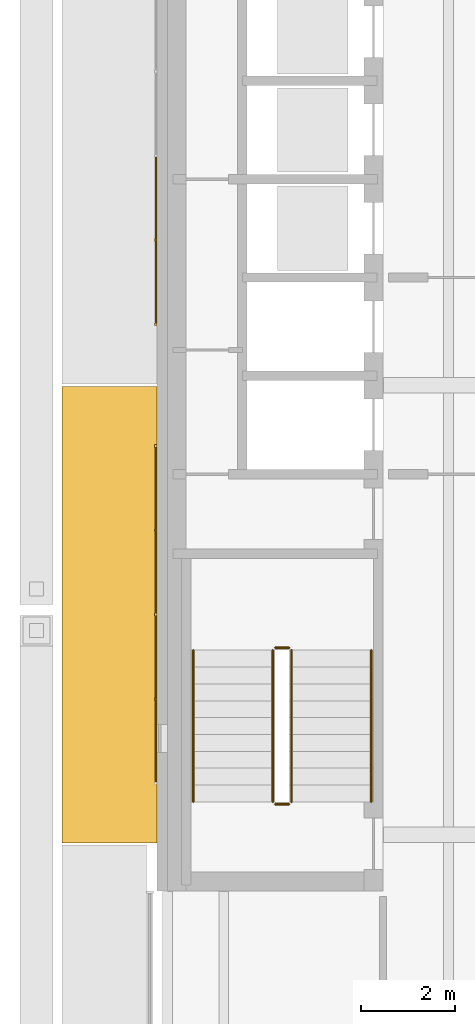
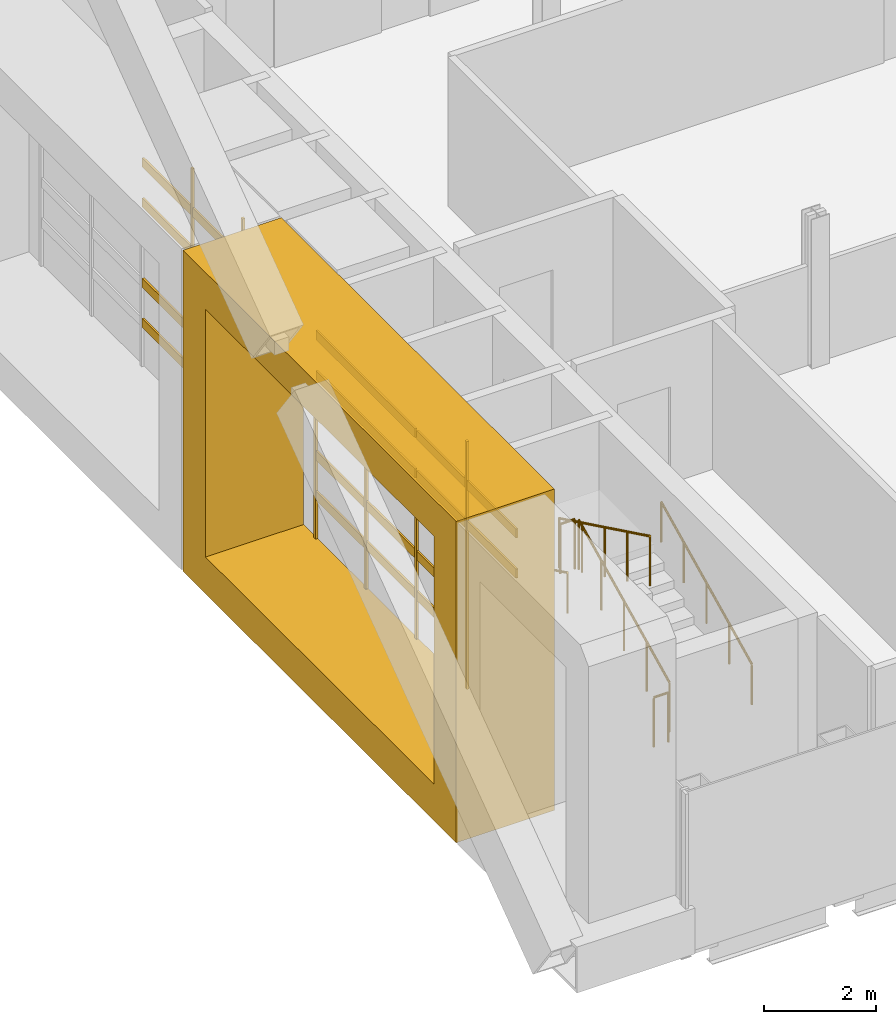
# One storey, part 17 of 23: 19 coverings, 6 railings.
"""IFC4 building model written with IfcOpenShell, lengths in metres."""

from ifc_helpers import new_model, si_unit, direction, frame, origin, origin_2d, place, context, subcontext, project, spatial, polyline, rectangle, circle, outline, extrude, material, type_object, element, save


model = new_model("IFC4")

# Units and contexts
model_context = context("Model", 3, precision=1e-05, world=origin(), true_north=direction((0.0, 1.0)))
body_context = subcontext(model_context, "Body", "Model", "MODEL_VIEW")
ifc_project = project(units=[si_unit("LENGTHUNIT", "METRE"), si_unit("AREAUNIT", "SQUARE_METRE"), si_unit("VOLUMEUNIT", "CUBIC_METRE"), si_unit("PLANEANGLEUNIT", "RADIAN"), si_unit("MASSUNIT", "GRAM", prefix="KILO")], contexts=[model_context])

# Site, building, storey
site_placement = place(None, origin())
site = spatial("IfcSite", under=ifc_project, at=site_placement, CompositionType="ELEMENT")
building_placement = place(site_placement, origin())
building = spatial("IfcBuilding", under=site, at=building_placement, Name="Cobrizo Arcos Hotel Tower", CompositionType="ELEMENT")
storey_placement = place(building_placement, frame((0.0, 0.0, 262.0)))
storey = spatial("IfcBuildingStorey", under=building, at=storey_placement, Name="L69", CompositionType="ELEMENT", Elevation=262.0)

# Coverings
ifc_material_1 = material(Name="Aluminium 6063-T6 anodised bronze", Category="aluminium")
covering_type_1 = type_object("IfcCoveringType", Name="FIN-F 2025", PredefinedType="CLADDING", material=ifc_material_1)
covering_placement = place(storey_placement, frame((-20.625, -0.02490234375, 0.0), z_axis=(-1.0, 0.0, 0.0), x_axis=(0.0, -1.0, 0.0)))
element("IfcCovering", 1, at=covering_placement, inside=storey, type_object=covering_type_1, Name="Fin frame 437", PredefinedType="CLADDING", context=body_context, shape_type="SweptSolid", body=[
    extrude(outline(polyline([(0.0, 7.0), (0.0, 0.0), (9.75, 0.0), (9.75, 7.0), (0.0, 7.0)]), holes=[polyline([(8.949951171875, 0.800048828125), (0.800048828125, 0.800048828125), (0.800048828125, 6.199951171875), (8.949951171875, 6.199951171875), (8.949951171875, 0.800048828125)])]), origin(), (0.0, 0.0, 1.0), 2.02490234375),
])
ifc_material_2 = material(Name="Aluminium 6063-T6 anodised pale", Category="aluminium")
covering_type_2 = type_object("IfcCoveringType", Name="RS-2 rainscreen rib 60x50", PredefinedType="CLADDING", material=ifc_material_2)
for number, where, z_axis, x_axis, name in (
    (2, (-20.64990234375, 3.10009765625, 0.800048828125), (0.0, 0.0, 1.0), (0.0, -1.0, 0.0), "Rainscreen rib 344"),
    (3, (-20.64990234375, 1.300048828125, 0.800048828125), (0.0, 0.0, 1.0), (0.0, -1.0, 0.0), "Rainscreen rib 345"),
    (4, (-20.64990234375, -1.300048828125, 0.800048828125), (0.0, 0.0, 1.0), (0.0, -1.0, 0.0), "Rainscreen rib 346"),
    (5, (-20.64990234375, -3.10009765625, 0.800048828125), (0.0, 0.0, 1.0), (0.0, -1.0, 0.0), "Rainscreen rib 347"),
    (6, (-20.64990234375, -4.89990234375, 0.800048828125), (0.0, 0.0, 1.0), (0.0, -1.0, 0.0), "Rainscreen rib 348"),
    (7, (-20.64990234375, -6.699951171875, 0.800048828125), (0.0, 0.0, 1.0), (0.0, -1.0, 0.0), "Rainscreen rib 349"),
):
    element("IfcCovering", number, at=place(storey_placement, frame(where, z_axis=z_axis, x_axis=x_axis)), inside=storey, type_object=covering_type_2, Name=name, PredefinedType="CLADDING", context=body_context, shape_type="SweptSolid", body=[
        extrude(rectangle(XDim=0.06005859375, YDim=0.050048828125, at=origin_2d()), origin(), (0.0, 0.0, 1.0), 5.39990234375),
    ])
covering_type_3 = type_object("IfcCoveringType", Name="RS-3 rainscreen louvre slat 200x40", PredefinedType="CLADDING", material=ifc_material_2)
for number, where, z_axis, x_axis, name in (
    (8, (-20.64501953125, 3.10009765625, 1.64990234375), (0.0, 0.0, 1.0), (0.0, -1.0, 0.0), "Rainscreen slat 215"),
    (9, (-20.64501953125, 3.10009765625, 2.52490234375), (0.0, 0.0, 1.0), (0.0, -1.0, 0.0), "Rainscreen slat 216"),
    (10, (-20.64501953125, 3.10009765625, 4.27490234375), (0.0, 0.0, 1.0), (0.0, -1.0, 0.0), "Rainscreen slat 219"),
    (11, (-20.64501953125, 3.10009765625, 5.14990234375), (0.0, 0.0, 1.0), (0.0, -1.0, 0.0), "Rainscreen slat 220"),
    (12, (-20.64501953125, -3.10009765625, 1.64990234375), (0.0, 0.0, 1.0), (0.0, -1.0, 0.0), "Rainscreen slat 221"),
    (13, (-20.64501953125, -3.10009765625, 2.52490234375), (0.0, 0.0, 1.0), (0.0, -1.0, 0.0), "Rainscreen slat 222"),
    (14, (-20.64501953125, -6.699951171875, 1.64990234375), (0.0, 0.0, 1.0), (0.0, -1.0, 0.0), "Rainscreen slat 223"),
    (15, (-20.64501953125, -6.699951171875, 2.52490234375), (0.0, 0.0, 1.0), (0.0, -1.0, 0.0), "Rainscreen slat 224"),
    (16, (-20.64501953125, -3.10009765625, 4.27490234375), (0.0, 0.0, 1.0), (0.0, -1.0, 0.0), "Rainscreen slat 225"),
    (17, (-20.64501953125, -3.10009765625, 5.14990234375), (0.0, 0.0, 1.0), (0.0, -1.0, 0.0), "Rainscreen slat 226"),
    (18, (-20.64501953125, -6.699951171875, 4.27490234375), (0.0, 0.0, 1.0), (0.0, -1.0, 0.0), "Rainscreen slat 227"),
    (19, (-20.64501953125, -6.699951171875, 5.14990234375), (0.0, 0.0, 1.0), (0.0, -1.0, 0.0), "Rainscreen slat 228"),
):
    element("IfcCovering", number, at=place(storey_placement, frame(where, z_axis=z_axis, x_axis=x_axis)), inside=storey, type_object=covering_type_3, Name=name, PredefinedType="CLADDING", context=body_context, shape_type="SweptSolid", body=[
        extrude(rectangle(XDim=3.5400390625, YDim=0.0400390625, at=origin_2d()), origin(), (0.0, 0.0, 1.0), 0.199951171875),
    ])

# Railings
ifc_material_3 = material(Name="Stainless steel railing", Category="steel")
railing_type_1 = type_object("IfcRailingType", Name="Stair guard 1100", PredefinedType="GUARDRAIL", material=ifc_material_3)
railing_1_placement = place(storey_placement, frame((-17.75, -8.89990234375, 0.175048828125)))
element("IfcRailing", 20, at=railing_1_placement, inside=storey, type_object=railing_type_1, Name="L69 ST-W stair guard 1", PredefinedType="GUARDRAIL", context=body_context, shape_type="SweptSolid", body=[
    extrude(circle(Radius=0.02392578125, at=origin_2d()), frame((0.0, 0.0, 1.076171875), z_axis=(0.0, 0.899372665325, 0.437182809435), x_axis=(-1.0, 0.0, 0.0)), (0.0, 0.0, 1.0), 3.6025390625),
    extrude(circle(Radius=0.02099609375, at=origin_2d()), origin(), (0.0, 0.0, 1.0), 1.052001953125),
    extrude(circle(Radius=0.02099609375, at=origin_2d()), frame((0.0, 0.81005859375, 0.393798828125)), (0.0, 0.0, 1.0), 1.052001953125),
    extrude(circle(Radius=0.02099609375, at=origin_2d()), frame((0.0, 1.6201171875, 0.78759765625)), (0.0, 0.0, 1.0), 1.052001953125),
    extrude(circle(Radius=0.02099609375, at=origin_2d()), frame((0.0, 2.429931640625, 1.18115234375)), (0.0, 0.0, 1.0), 1.052001953125),
    extrude(circle(Radius=0.02099609375, at=origin_2d()), frame((0.0, 3.239990234375, 1.574951171875)), (0.0, 0.0, 1.0), 1.052001953125),
])
railing_2_placement = place(storey_placement, frame((-17.800048828125, -5.610107421875, 1.75)))
element("IfcRailing", 21, at=railing_2_placement, inside=storey, type_object=railing_type_1, Name="L69 ST-W stair guard 2", PredefinedType="GUARDRAIL", context=body_context, shape_type="SweptSolid", body=[
    extrude(circle(Radius=0.02392578125, at=origin_2d()), frame((0.0, 0.0, 1.076171875), z_axis=(-1.0, 0.0, 0.0), x_axis=(0.0, -1.0, 0.0)), (0.0, 0.0, 1.0), 0.300048828125),
    extrude(circle(Radius=0.02099609375, at=origin_2d()), origin(), (0.0, 0.0, 1.0), 1.052001953125),
    extrude(circle(Radius=0.02099609375, at=origin_2d()), frame((-0.300048828125, 0.0, 0.0)), (0.0, 0.0, 1.0), 1.052001953125),
])
railing_3_placement = place(storey_placement, frame((-18.14990234375, -5.659912109375, 1.925048828125)))
element("IfcRailing", 22, at=railing_3_placement, inside=storey, type_object=railing_type_1, Name="L69 ST-W stair guard 3", PredefinedType="GUARDRAIL", context=body_context, shape_type="SweptSolid", body=[
    extrude(circle(Radius=0.02392578125, at=origin_2d()), frame((0.0, 0.0, 1.076171875), z_axis=(0.0, -0.899372665325, 0.437182809435), x_axis=(1.0, 0.0, 0.0)), (0.0, 0.0, 1.0), 3.6025390625),
    extrude(circle(Radius=0.02099609375, at=origin_2d()), origin(), (0.0, 0.0, 1.0), 1.052001953125),
    extrude(circle(Radius=0.02099609375, at=origin_2d()), frame((0.0, -0.81005859375, 0.393798828125)), (0.0, 0.0, 1.0), 1.052001953125),
    extrude(circle(Radius=0.02099609375, at=origin_2d()), frame((0.0, -1.6201171875, 0.78759765625)), (0.0, 0.0, 1.0), 1.052001953125),
    extrude(circle(Radius=0.02099609375, at=origin_2d()), frame((0.0, -2.429931640625, 1.18115234375)), (0.0, 0.0, 1.0), 1.052001953125),
    extrude(circle(Radius=0.02099609375, at=origin_2d()), frame((0.0, -3.239990234375, 1.574951171875)), (0.0, 0.0, 1.0), 1.052001953125),
])
railing_4_placement = place(storey_placement, frame((-17.800048828125, -8.949951171875, 0.0)))
element("IfcRailing", 23, at=railing_4_placement, inside=storey, type_object=railing_type_1, Name="L69 ST-W stair guard 4", PredefinedType="GUARDRAIL", context=body_context, shape_type="SweptSolid", body=[
    extrude(circle(Radius=0.02392578125, at=origin_2d()), frame((0.0, 0.0, 1.076171875), z_axis=(-1.0, 0.0, 0.0), x_axis=(0.0, -1.0, 0.0)), (0.0, 0.0, 1.0), 0.300048828125),
    extrude(circle(Radius=0.02099609375, at=origin_2d()), origin(), (0.0, 0.0, 1.0), 1.052001953125),
    extrude(circle(Radius=0.02099609375, at=origin_2d()), frame((-0.300048828125, 0.0, 0.0)), (0.0, 0.0, 1.0), 1.052001953125),
])
railing_type_2 = type_object("IfcRailingType", Name="Stair handrail", PredefinedType="HANDRAIL", material=ifc_material_3)
railing_5_placement = place(storey_placement, frame((-16.050048828125, -8.89990234375, 0.175048828125)))
element("IfcRailing", 24, at=railing_5_placement, inside=storey, type_object=railing_type_2, Name="L69 ST-W stair handrail 1", PredefinedType="HANDRAIL", context=body_context, shape_type="SweptSolid", body=[
    extrude(circle(Radius=0.02392578125, at=origin_2d()), frame((0.0, 0.0, 0.8759765625), z_axis=(0.0, 0.899372665325, 0.437182809435), x_axis=(-1.0, 0.0, 0.0)), (0.0, 0.0, 1.0), 3.6025390625),
    extrude(circle(Radius=0.02099609375, at=origin_2d()), origin(), (0.0, 0.0, 1.0), 0.851806640625),
    extrude(circle(Radius=0.02099609375, at=origin_2d()), frame((0.0, 0.81005859375, 0.393798828125)), (0.0, 0.0, 1.0), 0.851806640625),
    extrude(circle(Radius=0.02099609375, at=origin_2d()), frame((0.0, 1.6201171875, 0.78759765625)), (0.0, 0.0, 1.0), 0.851806640625),
    extrude(circle(Radius=0.02099609375, at=origin_2d()), frame((0.0, 2.429931640625, 1.18115234375)), (0.0, 0.0, 1.0), 0.851806640625),
    extrude(circle(Radius=0.02099609375, at=origin_2d()), frame((0.0, 3.239990234375, 1.574951171875)), (0.0, 0.0, 1.0), 0.851806640625),
])
railing_6_placement = place(storey_placement, frame((-19.85009765625, -5.659912109375, 1.925048828125)))
element("IfcRailing", 25, at=railing_6_placement, inside=storey, type_object=railing_type_2, Name="L69 ST-W stair handrail 2", PredefinedType="HANDRAIL", context=body_context, shape_type="SweptSolid", body=[
    extrude(circle(Radius=0.02392578125, at=origin_2d()), frame((0.0, 0.0, 0.8759765625), z_axis=(0.0, -0.899372665325, 0.437182809435), x_axis=(1.0, 0.0, 0.0)), (0.0, 0.0, 1.0), 3.6025390625),
    extrude(circle(Radius=0.02099609375, at=origin_2d()), origin(), (0.0, 0.0, 1.0), 0.851806640625),
    extrude(circle(Radius=0.02099609375, at=origin_2d()), frame((0.0, -0.81005859375, 0.393798828125)), (0.0, 0.0, 1.0), 0.851806640625),
    extrude(circle(Radius=0.02099609375, at=origin_2d()), frame((0.0, -1.6201171875, 0.78759765625)), (0.0, 0.0, 1.0), 0.851806640625),
    extrude(circle(Radius=0.02099609375, at=origin_2d()), frame((0.0, -2.429931640625, 1.18115234375)), (0.0, 0.0, 1.0), 0.851806640625),
    extrude(circle(Radius=0.02099609375, at=origin_2d()), frame((0.0, -3.239990234375, 1.574951171875)), (0.0, 0.0, 1.0), 0.851806640625),
])

save(model, "model.ifc")
